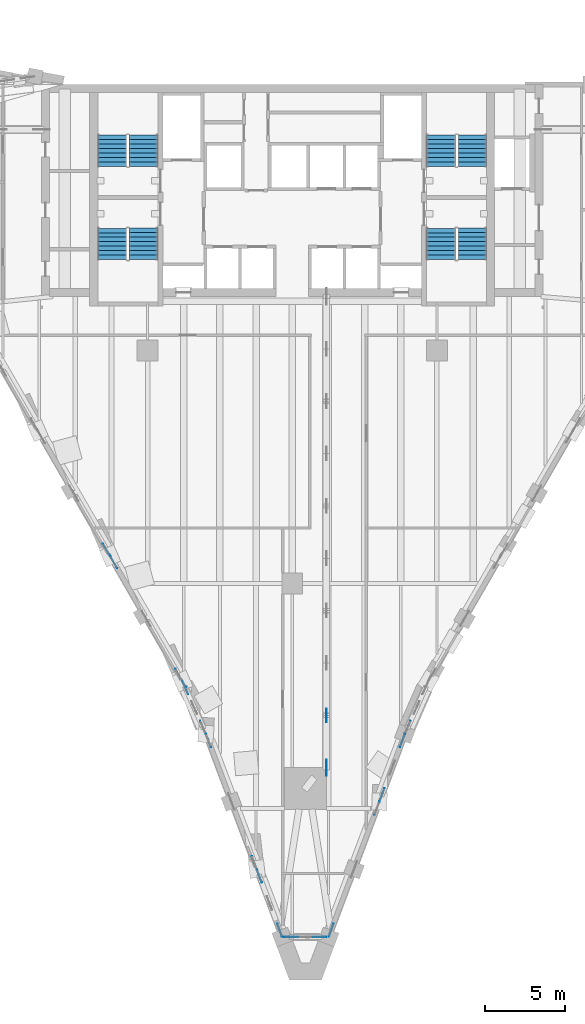
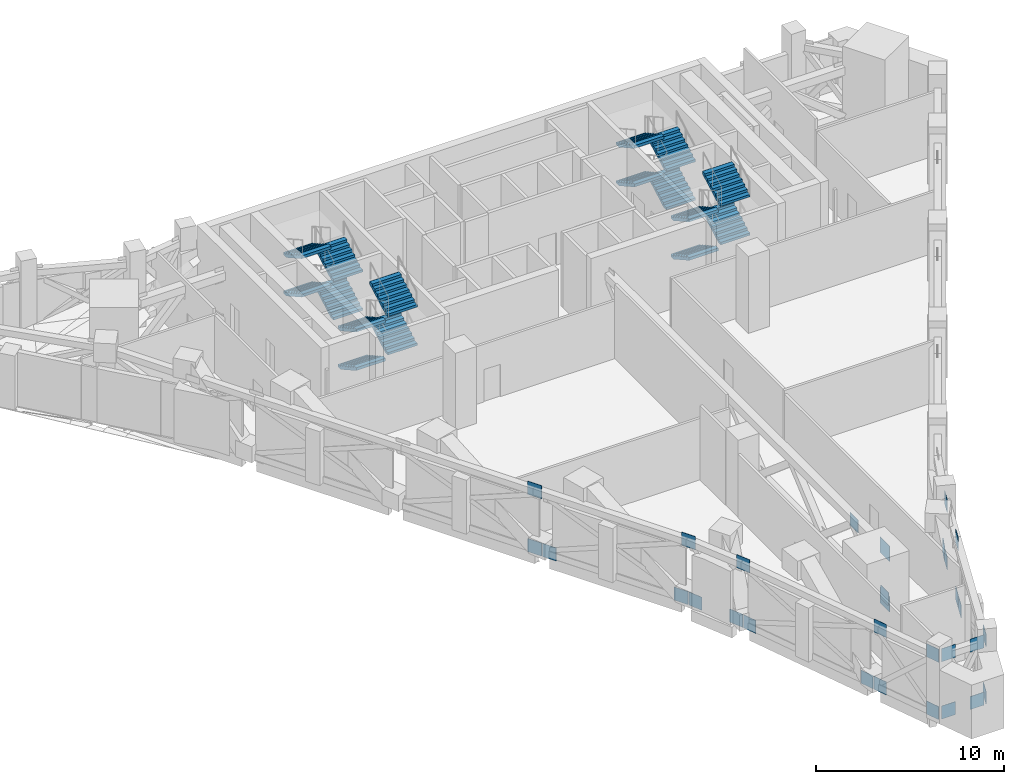
# One storey, part 13 of 22: 30 discrete accessories, 16 stair flights, 4 elements without a shape of their own.
"""IFC4 building model written with IfcOpenShell, lengths in metres."""

from ifc_helpers import new_model, si_unit, direction, frame, origin, origin_2d, place, context, subcontext, project, spatial, rectangle, extrude, faceted_brep, source, transform, mapped, material, type_object, element, aggregate, save


model = new_model("IFC4")

# Units and contexts
model_context = context("Model", 3, precision=1e-05, world=origin(), true_north=direction((0.0, 1.0)))
body_context = subcontext(model_context, "Body", "Model", "MODEL_VIEW")
ifc_project = project(units=[si_unit("LENGTHUNIT", "METRE"), si_unit("AREAUNIT", "SQUARE_METRE"), si_unit("VOLUMEUNIT", "CUBIC_METRE"), si_unit("PLANEANGLEUNIT", "RADIAN"), si_unit("MASSUNIT", "GRAM", prefix="KILO")], contexts=[model_context])

# Site, building, storey
site_placement = place(None, origin())
site = spatial("IfcSite", under=ifc_project, at=site_placement, CompositionType="ELEMENT")
building_placement = place(site_placement, origin())
building = spatial("IfcBuilding", under=site, at=building_placement, Name="Calabash Gate Tower", CompositionType="ELEMENT")
storey_placement = place(building_placement, frame((0.0, 0.0, 191.39990234375)))
storey = spatial("IfcBuildingStorey", under=building, at=storey_placement, Name="L45", CompositionType="ELEMENT", Elevation=191.39990234375)

# Stair, stair flights
ifc_material_1 = material(Name="Concrete C40/50", Category="concrete")
stair_type = type_object("IfcStairType", Name="Exit stair 32 risers of 156.2 mm", PredefinedType="HALF_TURN_STAIR", material=ifc_material_1)
stair_1_placement = place(storey_placement, origin())
stair_1 = element("IfcStair", 1, at=stair_1_placement, inside=storey, type_object=stair_type, Name="L45 Exit stair ST1", PredefinedType="HALF_TURN_STAIR")
ifc_material_2 = material(Name="Concrete C40/50", Category="concrete")
stair_flight_type = type_object("IfcStairFlightType", Name="Exit stair flight SFL", PredefinedType="STRAIGHT", material=ifc_material_2)
shared_shape = source(origin(), body_context, "Body", "Brep", [
    faceted_brep([(-0.0009765625, -0.89990234375, 0.0), (0.306884765625, -0.89990234375, 0.0), (1.9541015625, -0.89990234375, 0.921875), (-0.0009765625, 0.89990234375, 0.0), (1.9541015625, 0.89990234375, 0.921875), (0.306884765625, 0.89990234375, 0.0), (1.9541015625, -0.89990234375, 1.105712890625), (1.952880859375, -0.89990234375, 1.105712890625), (1.952880859375, 0.89990234375, 1.105712890625), (1.9541015625, 0.89990234375, 1.105712890625), (1.952880859375, -0.89990234375, 1.09375), (1.952880859375, 0.89990234375, 1.09375), (1.674072265625, -0.89990234375, 1.09375), (1.674072265625, 0.89990234375, 1.09375), (1.674072265625, -0.89990234375, 0.9375), (1.674072265625, 0.89990234375, 0.9375), (1.39501953125, -0.89990234375, 0.9375), (1.39501953125, 0.89990234375, 0.9375), (1.39501953125, -0.89990234375, 0.78125), (1.39501953125, 0.89990234375, 0.78125), (1.115966796875, -0.89990234375, 0.78125), (1.115966796875, -0.89990234375, 0.625), (1.115966796875, 0.89990234375, 0.625), (1.115966796875, 0.89990234375, 0.78125), (0.8369140625, -0.89990234375, 0.625), (0.8369140625, -0.89990234375, 0.46875), (0.8369140625, 0.89990234375, 0.46875), (0.8369140625, 0.89990234375, 0.625), (0.55810546875, -0.89990234375, 0.46875), (0.55810546875, -0.89990234375, 0.3125), (0.55810546875, 0.89990234375, 0.3125), (0.55810546875, 0.89990234375, 0.46875), (0.279052734375, -0.89990234375, 0.3125), (0.279052734375, -0.89990234375, 0.15625), (0.279052734375, 0.89990234375, 0.15625), (0.279052734375, 0.89990234375, 0.3125), (-0.0009765625, -0.89990234375, 0.15625), (-0.0009765625, 0.89990234375, 0.15625), (0.306884765625, -0.360107421875, 0.0), (1.9541015625, -0.360107421875, 0.921875), (0.306884765625, -0.27001953125, 0.0), (1.9541015625, -0.27001953125, 0.921875), (0.306884765625, -0.179931640625, 0.0), (1.9541015625, -0.179931640625, 0.921875), (0.306884765625, -0.090087890625, 0.0), (1.9541015625, -0.090087890625, 0.921875), (0.306884765625, 0.0, 0.0), (1.9541015625, 0.0, 0.921875), (0.306884765625, 0.090087890625, 0.0), (1.9541015625, 0.090087890625, 0.921875), (0.306884765625, 0.179931640625, 0.0), (1.9541015625, 0.179931640625, 0.921875), (0.306884765625, 0.27001953125, 0.0), (1.9541015625, 0.27001953125, 0.921875), (0.306884765625, 0.360107421875, 0.0), (1.9541015625, 0.360107421875, 0.921875), (1.9541015625, -0.360107421875, 1.105712890625), (1.9541015625, -0.27001953125, 1.105712890625), (1.9541015625, -0.179931640625, 1.105712890625), (1.9541015625, -0.090087890625, 1.105712890625), (1.9541015625, 0.0, 1.105712890625), (1.9541015625, 0.090087890625, 1.105712890625), (1.9541015625, 0.179931640625, 1.105712890625), (1.9541015625, 0.27001953125, 1.105712890625), (1.9541015625, 0.360107421875, 1.105712890625), (1.952880859375, -0.360107421875, 1.105712890625), (1.952880859375, -0.27001953125, 1.105712890625), (1.952880859375, -0.179931640625, 1.105712890625), (1.952880859375, -0.090087890625, 1.105712890625), (1.952880859375, 0.0, 1.105712890625), (1.952880859375, 0.090087890625, 1.105712890625), (1.952880859375, 0.179931640625, 1.105712890625), (1.952880859375, 0.27001953125, 1.105712890625), (1.952880859375, 0.360107421875, 1.105712890625), (1.952880859375, -0.360107421875, 1.09375), (1.952880859375, -0.27001953125, 1.09375), (1.952880859375, -0.179931640625, 1.09375), (1.952880859375, -0.090087890625, 1.09375), (1.952880859375, 0.0, 1.09375), (1.952880859375, 0.090087890625, 1.09375), (1.952880859375, 0.179931640625, 1.09375), (1.952880859375, 0.27001953125, 1.09375), (1.952880859375, 0.360107421875, 1.09375), (1.674072265625, -0.360107421875, 1.09375), (1.674072265625, -0.27001953125, 1.09375), (1.674072265625, -0.179931640625, 1.09375), (1.674072265625, -0.090087890625, 1.09375), (1.674072265625, 0.0, 1.09375), (1.674072265625, 0.090087890625, 1.09375), (1.674072265625, 0.179931640625, 1.09375), (1.674072265625, 0.27001953125, 1.09375), (1.674072265625, 0.360107421875, 1.09375), (1.674072265625, -0.360107421875, 0.9375), (1.674072265625, -0.27001953125, 0.9375), (1.674072265625, -0.179931640625, 0.9375), (1.674072265625, -0.090087890625, 0.9375), (1.674072265625, 0.0, 0.9375), (1.674072265625, 0.090087890625, 0.9375), (1.674072265625, 0.179931640625, 0.9375), (1.674072265625, 0.27001953125, 0.9375), (1.674072265625, 0.360107421875, 0.9375), (1.39501953125, -0.360107421875, 0.9375), (1.39501953125, -0.27001953125, 0.9375), (1.39501953125, -0.179931640625, 0.9375), (1.39501953125, -0.090087890625, 0.9375), (1.39501953125, 0.0, 0.9375), (1.39501953125, 0.090087890625, 0.9375), (1.39501953125, 0.179931640625, 0.9375), (1.39501953125, 0.27001953125, 0.9375), (1.39501953125, 0.360107421875, 0.9375), (1.39501953125, -0.360107421875, 0.78125), (1.39501953125, -0.27001953125, 0.78125), (1.39501953125, -0.179931640625, 0.78125), (1.39501953125, -0.090087890625, 0.78125), (1.39501953125, 0.0, 0.78125), (1.39501953125, 0.090087890625, 0.78125), (1.39501953125, 0.179931640625, 0.78125), (1.39501953125, 0.27001953125, 0.78125), (1.39501953125, 0.360107421875, 0.78125), (1.115966796875, -0.360107421875, 0.78125), (1.115966796875, -0.27001953125, 0.78125), (1.115966796875, -0.179931640625, 0.78125), (1.115966796875, -0.090087890625, 0.78125), (1.115966796875, 0.0, 0.78125), (1.115966796875, 0.090087890625, 0.78125), (1.115966796875, 0.179931640625, 0.78125), (1.115966796875, 0.27001953125, 0.78125), (1.115966796875, 0.360107421875, 0.78125), (1.115966796875, -0.360107421875, 0.625), (1.115966796875, -0.27001953125, 0.625), (1.115966796875, -0.179931640625, 0.625), (1.115966796875, -0.090087890625, 0.625), (1.115966796875, 0.0, 0.625), (1.115966796875, 0.090087890625, 0.625), (1.115966796875, 0.179931640625, 0.625), (1.115966796875, 0.27001953125, 0.625), (1.115966796875, 0.360107421875, 0.625), (0.8369140625, -0.360107421875, 0.625), (0.8369140625, -0.27001953125, 0.625), (0.8369140625, -0.179931640625, 0.625), (0.8369140625, -0.090087890625, 0.625), (0.8369140625, 0.0, 0.625), (0.8369140625, 0.090087890625, 0.625), (0.8369140625, 0.179931640625, 0.625), (0.8369140625, 0.27001953125, 0.625), (0.8369140625, 0.360107421875, 0.625), (0.8369140625, -0.360107421875, 0.46875), (0.8369140625, -0.27001953125, 0.46875), (0.8369140625, -0.179931640625, 0.46875), (0.8369140625, -0.090087890625, 0.46875), (0.8369140625, 0.0, 0.46875), (0.8369140625, 0.090087890625, 0.46875), (0.8369140625, 0.179931640625, 0.46875), (0.8369140625, 0.27001953125, 0.46875), (0.8369140625, 0.360107421875, 0.46875), (0.55810546875, -0.360107421875, 0.46875), (0.55810546875, -0.27001953125, 0.46875), (0.55810546875, -0.179931640625, 0.46875), (0.55810546875, -0.090087890625, 0.46875), (0.55810546875, 0.0, 0.46875), (0.55810546875, 0.090087890625, 0.46875), (0.55810546875, 0.179931640625, 0.46875), (0.55810546875, 0.27001953125, 0.46875), (0.55810546875, 0.360107421875, 0.46875), (0.55810546875, -0.360107421875, 0.3125), (0.55810546875, -0.27001953125, 0.3125), (0.55810546875, -0.179931640625, 0.3125), (0.55810546875, -0.090087890625, 0.3125), (0.55810546875, 0.0, 0.3125), (0.55810546875, 0.090087890625, 0.3125), (0.55810546875, 0.179931640625, 0.3125), (0.55810546875, 0.27001953125, 0.3125), (0.55810546875, 0.360107421875, 0.3125), (0.279052734375, -0.360107421875, 0.3125), (0.279052734375, -0.27001953125, 0.3125), (0.279052734375, -0.179931640625, 0.3125), (0.279052734375, -0.090087890625, 0.3125), (0.279052734375, 0.0, 0.3125), (0.279052734375, 0.090087890625, 0.3125), (0.279052734375, 0.179931640625, 0.3125), (0.279052734375, 0.27001953125, 0.3125), (0.279052734375, 0.360107421875, 0.3125), (0.279052734375, -0.360107421875, 0.15625), (0.279052734375, -0.27001953125, 0.15625), (0.279052734375, -0.179931640625, 0.15625), (0.279052734375, -0.090087890625, 0.15625), (0.279052734375, 0.0, 0.15625), (0.279052734375, 0.090087890625, 0.15625), (0.279052734375, 0.179931640625, 0.15625), (0.279052734375, 0.27001953125, 0.15625), (0.279052734375, 0.360107421875, 0.15625), (-0.0009765625, -0.360107421875, 0.15625), (-0.0009765625, -0.27001953125, 0.15625), (-0.0009765625, -0.179931640625, 0.15625), (-0.0009765625, -0.090087890625, 0.15625), (-0.0009765625, 0.0, 0.15625), (-0.0009765625, 0.090087890625, 0.15625), (-0.0009765625, 0.179931640625, 0.15625), (-0.0009765625, 0.27001953125, 0.15625), (-0.0009765625, 0.360107421875, 0.15625), (-0.0009765625, -0.360107421875, 0.0), (-0.0009765625, -0.27001953125, 0.0), (-0.0009765625, -0.179931640625, 0.0), (-0.0009765625, -0.090087890625, 0.0), (-0.0009765625, 0.0, 0.0), (-0.0009765625, 0.090087890625, 0.0), (-0.0009765625, 0.179931640625, 0.0), (-0.0009765625, 0.27001953125, 0.0), (-0.0009765625, 0.360107421875, 0.0)], [[[0, 1, 2]], [[3, 4, 5]], [[2, 6, 7]], [[4, 8, 9]], [[2, 7, 10]], [[4, 11, 8]], [[2, 10, 12]], [[4, 13, 11]], [[2, 12, 14]], [[4, 15, 13]], [[2, 14, 16]], [[4, 17, 15]], [[2, 16, 18]], [[4, 19, 17]], [[18, 20, 21]], [[19, 22, 23]], [[2, 18, 21]], [[4, 22, 19]], [[21, 24, 25]], [[22, 26, 27]], [[2, 21, 25]], [[4, 26, 22]], [[25, 28, 29]], [[26, 30, 31]], [[2, 25, 29]], [[4, 30, 26]], [[29, 32, 33]], [[30, 34, 35]], [[2, 29, 33]], [[4, 34, 30]], [[0, 2, 33]], [[3, 34, 4]], [[33, 36, 0]], [[34, 3, 37]], [[1, 38, 2]], [[38, 39, 2]], [[38, 40, 39]], [[40, 41, 39]], [[40, 42, 41]], [[42, 43, 41]], [[42, 44, 43]], [[44, 45, 43]], [[44, 46, 45]], [[46, 47, 45]], [[46, 48, 49]], [[46, 49, 47]], [[48, 50, 51]], [[48, 51, 49]], [[50, 52, 53]], [[50, 53, 51]], [[52, 54, 55]], [[52, 55, 53]], [[54, 5, 4]], [[54, 4, 55]], [[2, 39, 6]], [[39, 56, 6]], [[39, 41, 56]], [[41, 57, 56]], [[41, 43, 57]], [[43, 58, 57]], [[43, 45, 58]], [[45, 59, 58]], [[45, 47, 59]], [[47, 60, 59]], [[47, 49, 61]], [[47, 61, 60]], [[49, 51, 62]], [[49, 62, 61]], [[51, 53, 63]], [[51, 63, 62]], [[53, 55, 64]], [[53, 64, 63]], [[55, 4, 9]], [[55, 9, 64]], [[6, 56, 7]], [[56, 65, 7]], [[56, 57, 65]], [[57, 66, 65]], [[57, 58, 66]], [[58, 67, 66]], [[58, 59, 67]], [[59, 68, 67]], [[59, 60, 68]], [[60, 69, 68]], [[60, 61, 70]], [[60, 70, 69]], [[61, 62, 71]], [[61, 71, 70]], [[62, 63, 72]], [[62, 72, 71]], [[63, 64, 73]], [[63, 73, 72]], [[64, 9, 8]], [[64, 8, 73]], [[7, 65, 10]], [[65, 74, 10]], [[65, 66, 74]], [[66, 75, 74]], [[66, 67, 75]], [[67, 76, 75]], [[67, 68, 76]], [[68, 77, 76]], [[68, 69, 77]], [[69, 78, 77]], [[69, 70, 79]], [[69, 79, 78]], [[70, 71, 80]], [[70, 80, 79]], [[71, 72, 81]], [[71, 81, 80]], [[72, 73, 82]], [[72, 82, 81]], [[73, 8, 11]], [[73, 11, 82]], [[10, 74, 12]], [[74, 83, 12]], [[74, 75, 83]], [[75, 84, 83]], [[75, 76, 84]], [[76, 85, 84]], [[76, 77, 85]], [[77, 86, 85]], [[77, 78, 86]], [[78, 87, 86]], [[78, 79, 88]], [[78, 88, 87]], [[79, 80, 89]], [[79, 89, 88]], [[80, 81, 90]], [[80, 90, 89]], [[81, 82, 91]], [[81, 91, 90]], [[82, 11, 13]], [[82, 13, 91]], [[12, 83, 14]], [[83, 92, 14]], [[83, 84, 92]], [[84, 93, 92]], [[84, 85, 93]], [[85, 94, 93]], [[85, 86, 94]], [[86, 95, 94]], [[86, 87, 95]], [[87, 96, 95]], [[87, 88, 97]], [[87, 97, 96]], [[88, 89, 98]], [[88, 98, 97]], [[89, 90, 99]], [[89, 99, 98]], [[90, 91, 100]], [[90, 100, 99]], [[91, 13, 15]], [[91, 15, 100]], [[14, 92, 16]], [[92, 101, 16]], [[92, 93, 101]], [[93, 102, 101]], [[93, 94, 102]], [[94, 103, 102]], [[94, 95, 103]], [[95, 104, 103]], [[95, 96, 104]], [[96, 105, 104]], [[96, 97, 106]], [[96, 106, 105]], [[97, 98, 107]], [[97, 107, 106]], [[98, 99, 108]], [[98, 108, 107]], [[99, 100, 109]], [[99, 109, 108]], [[100, 15, 17]], [[100, 17, 109]], [[16, 101, 18]], [[101, 110, 18]], [[101, 102, 110]], [[102, 111, 110]], [[102, 103, 111]], [[103, 112, 111]], [[103, 104, 112]], [[104, 113, 112]], [[104, 105, 113]], [[105, 114, 113]], [[105, 106, 115]], [[105, 115, 114]], [[106, 107, 116]], [[106, 116, 115]], [[107, 108, 117]], [[107, 117, 116]], [[108, 109, 118]], [[108, 118, 117]], [[109, 17, 19]], [[109, 19, 118]], [[18, 110, 20]], [[110, 119, 20]], [[110, 111, 119]], [[111, 120, 119]], [[111, 112, 120]], [[112, 121, 120]], [[112, 113, 121]], [[113, 122, 121]], [[113, 114, 122]], [[114, 123, 122]], [[114, 115, 124]], [[114, 124, 123]], [[115, 116, 125]], [[115, 125, 124]], [[116, 117, 126]], [[116, 126, 125]], [[117, 118, 127]], [[117, 127, 126]], [[118, 19, 23]], [[118, 23, 127]], [[20, 119, 21]], [[119, 128, 21]], [[119, 120, 128]], [[120, 129, 128]], [[120, 121, 129]], [[121, 130, 129]], [[121, 122, 130]], [[122, 131, 130]], [[122, 123, 131]], [[123, 132, 131]], [[123, 124, 133]], [[123, 133, 132]], [[124, 125, 134]], [[124, 134, 133]], [[125, 126, 135]], [[125, 135, 134]], [[126, 127, 136]], [[126, 136, 135]], [[127, 23, 22]], [[127, 22, 136]], [[21, 128, 24]], [[128, 137, 24]], [[128, 129, 137]], [[129, 138, 137]], [[129, 130, 138]], [[130, 139, 138]], [[130, 131, 139]], [[131, 140, 139]], [[131, 132, 140]], [[132, 141, 140]], [[132, 133, 142]], [[132, 142, 141]], [[133, 134, 143]], [[133, 143, 142]], [[134, 135, 144]], [[134, 144, 143]], [[135, 136, 145]], [[135, 145, 144]], [[136, 22, 27]], [[136, 27, 145]], [[24, 137, 25]], [[137, 146, 25]], [[137, 138, 146]], [[138, 147, 146]], [[138, 139, 147]], [[139, 148, 147]], [[139, 140, 148]], [[140, 149, 148]], [[140, 141, 149]], [[141, 150, 149]], [[141, 142, 151]], [[141, 151, 150]], [[142, 143, 152]], [[142, 152, 151]], [[143, 144, 153]], [[143, 153, 152]], [[144, 145, 154]], [[144, 154, 153]], [[145, 27, 26]], [[145, 26, 154]], [[25, 146, 28]], [[146, 155, 28]], [[146, 147, 155]], [[147, 156, 155]], [[147, 148, 156]], [[148, 157, 156]], [[148, 149, 157]], [[149, 158, 157]], [[149, 150, 158]], [[150, 159, 158]], [[150, 151, 160]], [[150, 160, 159]], [[151, 152, 161]], [[151, 161, 160]], [[152, 153, 162]], [[152, 162, 161]], [[153, 154, 163]], [[153, 163, 162]], [[154, 26, 31]], [[154, 31, 163]], [[28, 155, 29]], [[155, 164, 29]], [[155, 156, 164]], [[156, 165, 164]], [[156, 157, 165]], [[157, 166, 165]], [[157, 158, 166]], [[158, 167, 166]], [[158, 159, 167]], [[159, 168, 167]], [[159, 160, 169]], [[159, 169, 168]], [[160, 161, 170]], [[160, 170, 169]], [[161, 162, 171]], [[161, 171, 170]], [[162, 163, 172]], [[162, 172, 171]], [[163, 31, 30]], [[163, 30, 172]], [[29, 164, 32]], [[164, 173, 32]], [[164, 165, 173]], [[165, 174, 173]], [[165, 166, 174]], [[166, 175, 174]], [[166, 167, 175]], [[167, 176, 175]], [[167, 168, 176]], [[168, 177, 176]], [[168, 169, 178]], [[168, 178, 177]], [[169, 170, 179]], [[169, 179, 178]], [[170, 171, 180]], [[170, 180, 179]], [[171, 172, 181]], [[171, 181, 180]], [[172, 30, 35]], [[172, 35, 181]], [[32, 173, 33]], [[173, 182, 33]], [[173, 174, 182]], [[174, 183, 182]], [[174, 175, 183]], [[175, 184, 183]], [[175, 176, 184]], [[176, 185, 184]], [[176, 177, 185]], [[177, 186, 185]], [[177, 178, 187]], [[177, 187, 186]], [[178, 179, 188]], [[178, 188, 187]], [[179, 180, 189]], [[179, 189, 188]], [[180, 181, 190]], [[180, 190, 189]], [[181, 35, 34]], [[181, 34, 190]], [[33, 182, 36]], [[182, 191, 36]], [[182, 183, 191]], [[183, 192, 191]], [[183, 184, 192]], [[184, 193, 192]], [[184, 185, 193]], [[185, 194, 193]], [[185, 186, 194]], [[186, 195, 194]], [[186, 187, 196]], [[186, 196, 195]], [[187, 188, 197]], [[187, 197, 196]], [[188, 189, 198]], [[188, 198, 197]], [[189, 190, 199]], [[189, 199, 198]], [[190, 34, 37]], [[190, 37, 199]], [[36, 191, 0]], [[191, 200, 0]], [[191, 192, 200]], [[192, 201, 200]], [[192, 193, 201]], [[193, 202, 201]], [[193, 194, 202]], [[194, 203, 202]], [[194, 195, 203]], [[195, 204, 203]], [[195, 196, 205]], [[195, 205, 204]], [[196, 197, 206]], [[196, 206, 205]], [[197, 198, 207]], [[197, 207, 206]], [[198, 199, 208]], [[198, 208, 207]], [[199, 37, 3]], [[199, 3, 208]], [[0, 200, 1]], [[200, 38, 1]], [[200, 201, 38]], [[201, 40, 38]], [[201, 202, 40]], [[202, 42, 40]], [[202, 203, 42]], [[203, 44, 42]], [[203, 204, 44]], [[204, 46, 44]], [[204, 205, 48]], [[204, 48, 46]], [[205, 206, 50]], [[205, 50, 48]], [[206, 207, 52]], [[206, 52, 50]], [[207, 208, 54]], [[207, 54, 52]], [[208, 3, 5]], [[208, 5, 54]]]),
])
stair_flight_1_placement = place(storey_placement, frame((-9.25, 13.95263671875, 0.0), z_axis=(0.0, 0.0, 1.0), x_axis=(0.0, 1.0, 0.0)))
stair_flight_1 = element("IfcStairFlight", 2, at=stair_flight_1_placement, type_object=stair_flight_type, Name="ST1 flight 1", NumberOfRisers=8, NumberOfTreads=7, PredefinedType="STRAIGHT", RiserHeight=0.15625, TreadLength=0.279, context=body_context, shape_type="MappedRepresentation", body=[
    mapped(shared_shape, transform((0.0, 0.0, 0.0), scale=1.0)),
])
stair_flight_2_placement = place(storey_placement, frame((-11.199951171875, 15.905517578125, 1.25), z_axis=(0.0, 0.0, 1.0), x_axis=(0.0, -1.0, 0.0)))
stair_flight_2 = element("IfcStairFlight", 3, at=stair_flight_2_placement, type_object=stair_flight_type, Name="ST1 flight 2", NumberOfRisers=8, NumberOfTreads=7, PredefinedType="STRAIGHT", RiserHeight=0.15625, TreadLength=0.279, context=body_context, shape_type="MappedRepresentation", body=[
    mapped(shared_shape, transform((0.0, 0.0, 0.0), scale=1.0)),
])
stair_flight_3_placement = place(storey_placement, frame((-9.25, 13.95263671875, 2.5), z_axis=(0.0, 0.0, 1.0), x_axis=(0.0, 1.0, 0.0)))
stair_flight_3 = element("IfcStairFlight", 4, at=stair_flight_3_placement, type_object=stair_flight_type, Name="ST1 flight 3", NumberOfRisers=8, NumberOfTreads=7, PredefinedType="STRAIGHT", RiserHeight=0.15625, TreadLength=0.279, context=body_context, shape_type="MappedRepresentation", body=[
    mapped(shared_shape, transform((0.0, 0.0, 0.0), scale=1.0)),
])
stair_flight_4_placement = place(storey_placement, frame((-11.199951171875, 15.905517578125, 3.75), z_axis=(0.0, 0.0, 1.0), x_axis=(0.0, -1.0, 0.0)))
stair_flight_4 = element("IfcStairFlight", 5, at=stair_flight_4_placement, type_object=stair_flight_type, Name="ST1 flight 4", NumberOfRisers=8, NumberOfTreads=7, PredefinedType="STRAIGHT", RiserHeight=0.15625, TreadLength=0.279, context=body_context, shape_type="MappedRepresentation", body=[
    mapped(shared_shape, transform((0.0, 0.0, 0.0), scale=1.0)),
])
aggregate(stair_1, [stair_flight_1, stair_flight_2, stair_flight_3, stair_flight_4])

stair_2_placement = place(storey_placement, origin())
stair_2 = element("IfcStair", 6, at=stair_2_placement, inside=storey, type_object=stair_type, Name="L45 Exit stair ST2", PredefinedType="HALF_TURN_STAIR")
stair_flight_5_placement = place(storey_placement, frame((-11.199951171875, 10.1025390625, 0.0), z_axis=(0.0, 0.0, 1.0), x_axis=(0.0, -1.0, 0.0)))
stair_flight_5 = element("IfcStairFlight", 7, at=stair_flight_5_placement, type_object=stair_flight_type, Name="ST2 flight 1", NumberOfRisers=8, NumberOfTreads=7, PredefinedType="STRAIGHT", RiserHeight=0.15625, TreadLength=0.279, context=body_context, shape_type="MappedRepresentation", body=[
    mapped(shared_shape, transform((0.0, 0.0, 0.0), scale=1.0)),
])
stair_flight_6_placement = place(storey_placement, frame((-9.25, 8.149658203125, 1.25), z_axis=(0.0, 0.0, 1.0), x_axis=(0.0, 1.0, 0.0)))
stair_flight_6 = element("IfcStairFlight", 8, at=stair_flight_6_placement, type_object=stair_flight_type, Name="ST2 flight 2", NumberOfRisers=8, NumberOfTreads=7, PredefinedType="STRAIGHT", RiserHeight=0.15625, TreadLength=0.279, context=body_context, shape_type="MappedRepresentation", body=[
    mapped(shared_shape, transform((0.0, 0.0, 0.0), scale=1.0)),
])
stair_flight_7_placement = place(storey_placement, frame((-11.199951171875, 10.1025390625, 2.5), z_axis=(0.0, 0.0, 1.0), x_axis=(0.0, -1.0, 0.0)))
stair_flight_7 = element("IfcStairFlight", 9, at=stair_flight_7_placement, type_object=stair_flight_type, Name="ST2 flight 3", NumberOfRisers=8, NumberOfTreads=7, PredefinedType="STRAIGHT", RiserHeight=0.15625, TreadLength=0.279, context=body_context, shape_type="MappedRepresentation", body=[
    mapped(shared_shape, transform((0.0, 0.0, 0.0), scale=1.0)),
])
stair_flight_8_placement = place(storey_placement, frame((-9.25, 8.149658203125, 3.75), z_axis=(0.0, 0.0, 1.0), x_axis=(0.0, 1.0, 0.0)))
stair_flight_8 = element("IfcStairFlight", 10, at=stair_flight_8_placement, type_object=stair_flight_type, Name="ST2 flight 4", NumberOfRisers=8, NumberOfTreads=7, PredefinedType="STRAIGHT", RiserHeight=0.15625, TreadLength=0.279, context=body_context, shape_type="MappedRepresentation", body=[
    mapped(shared_shape, transform((0.0, 0.0, 0.0), scale=1.0)),
])
aggregate(stair_2, [stair_flight_5, stair_flight_6, stair_flight_7, stair_flight_8])

stair_3_placement = place(storey_placement, origin())
stair_3 = element("IfcStair", 11, at=stair_3_placement, inside=storey, type_object=stair_type, Name="L45 Exit stair ST3", PredefinedType="HALF_TURN_STAIR")
stair_flight_9_placement = place(storey_placement, frame((11.199951171875, 13.95263671875, 0.0), z_axis=(0.0, 0.0, 1.0), x_axis=(0.0, 1.0, 0.0)))
stair_flight_9 = element("IfcStairFlight", 12, at=stair_flight_9_placement, type_object=stair_flight_type, Name="ST3 flight 1", NumberOfRisers=8, NumberOfTreads=7, PredefinedType="STRAIGHT", RiserHeight=0.15625, TreadLength=0.279, context=body_context, shape_type="MappedRepresentation", body=[
    mapped(shared_shape, transform((0.0, 0.0, 0.0), scale=1.0)),
])
stair_flight_10_placement = place(storey_placement, frame((9.25, 15.905517578125, 1.25), z_axis=(0.0, 0.0, 1.0), x_axis=(0.0, -1.0, 0.0)))
stair_flight_10 = element("IfcStairFlight", 13, at=stair_flight_10_placement, type_object=stair_flight_type, Name="ST3 flight 2", NumberOfRisers=8, NumberOfTreads=7, PredefinedType="STRAIGHT", RiserHeight=0.15625, TreadLength=0.279, context=body_context, shape_type="MappedRepresentation", body=[
    mapped(shared_shape, transform((0.0, 0.0, 0.0), scale=1.0)),
])
stair_flight_11_placement = place(storey_placement, frame((11.199951171875, 13.95263671875, 2.5), z_axis=(0.0, 0.0, 1.0), x_axis=(0.0, 1.0, 0.0)))
stair_flight_11 = element("IfcStairFlight", 14, at=stair_flight_11_placement, type_object=stair_flight_type, Name="ST3 flight 3", NumberOfRisers=8, NumberOfTreads=7, PredefinedType="STRAIGHT", RiserHeight=0.15625, TreadLength=0.279, context=body_context, shape_type="MappedRepresentation", body=[
    mapped(shared_shape, transform((0.0, 0.0, 0.0), scale=1.0)),
])
stair_flight_12_placement = place(storey_placement, frame((9.25, 15.905517578125, 3.75), z_axis=(0.0, 0.0, 1.0), x_axis=(0.0, -1.0, 0.0)))
stair_flight_12 = element("IfcStairFlight", 15, at=stair_flight_12_placement, type_object=stair_flight_type, Name="ST3 flight 4", NumberOfRisers=8, NumberOfTreads=7, PredefinedType="STRAIGHT", RiserHeight=0.15625, TreadLength=0.279, context=body_context, shape_type="MappedRepresentation", body=[
    mapped(shared_shape, transform((0.0, 0.0, 0.0), scale=1.0)),
])
aggregate(stair_3, [stair_flight_9, stair_flight_10, stair_flight_11, stair_flight_12])

stair_4_placement = place(storey_placement, origin())
stair_4 = element("IfcStair", 16, at=stair_4_placement, inside=storey, type_object=stair_type, Name="L45 Exit stair ST4", PredefinedType="HALF_TURN_STAIR")
stair_flight_13_placement = place(storey_placement, frame((9.25, 10.1025390625, 0.0), z_axis=(0.0, 0.0, 1.0), x_axis=(0.0, -1.0, 0.0)))
stair_flight_13 = element("IfcStairFlight", 17, at=stair_flight_13_placement, type_object=stair_flight_type, Name="ST4 flight 1", NumberOfRisers=8, NumberOfTreads=7, PredefinedType="STRAIGHT", RiserHeight=0.15625, TreadLength=0.279, context=body_context, shape_type="MappedRepresentation", body=[
    mapped(shared_shape, transform((0.0, 0.0, 0.0), scale=1.0)),
])
stair_flight_14_placement = place(storey_placement, frame((11.199951171875, 8.149658203125, 1.25), z_axis=(0.0, 0.0, 1.0), x_axis=(0.0, 1.0, 0.0)))
stair_flight_14 = element("IfcStairFlight", 18, at=stair_flight_14_placement, type_object=stair_flight_type, Name="ST4 flight 2", NumberOfRisers=8, NumberOfTreads=7, PredefinedType="STRAIGHT", RiserHeight=0.15625, TreadLength=0.279, context=body_context, shape_type="MappedRepresentation", body=[
    mapped(shared_shape, transform((0.0, 0.0, 0.0), scale=1.0)),
])
stair_flight_15_placement = place(storey_placement, frame((9.25, 10.1025390625, 2.5), z_axis=(0.0, 0.0, 1.0), x_axis=(0.0, -1.0, 0.0)))
stair_flight_15 = element("IfcStairFlight", 19, at=stair_flight_15_placement, type_object=stair_flight_type, Name="ST4 flight 3", NumberOfRisers=8, NumberOfTreads=7, PredefinedType="STRAIGHT", RiserHeight=0.15625, TreadLength=0.279, context=body_context, shape_type="MappedRepresentation", body=[
    mapped(shared_shape, transform((0.0, 0.0, 0.0), scale=1.0)),
])
stair_flight_16_placement = place(storey_placement, frame((11.199951171875, 8.149658203125, 3.75), z_axis=(0.0, 0.0, 1.0), x_axis=(0.0, 1.0, 0.0)))
stair_flight_16 = element("IfcStairFlight", 20, at=stair_flight_16_placement, type_object=stair_flight_type, Name="ST4 flight 4", NumberOfRisers=8, NumberOfTreads=7, PredefinedType="STRAIGHT", RiserHeight=0.15625, TreadLength=0.279, context=body_context, shape_type="MappedRepresentation", body=[
    mapped(shared_shape, transform((0.0, 0.0, 0.0), scale=1.0)),
])
aggregate(stair_4, [stair_flight_13, stair_flight_14, stair_flight_15, stair_flight_16])

# Discrete accessories
ifc_material_3 = material(Name="Steel ASTM A572 Gr50", Category="steel")
discrete_accessory_type = type_object("IfcDiscreteAccessoryType", Name="Connection plate 25", PredefinedType="BRACKET", material=ifc_material_3)
for number, where, z_axis, x_axis, name in (
    (21, (-11.10302734375, -10.677734375, -0.2216796875), (0.0, 0.0, 1.0), (0.499999984885, -0.866025412511, 0.0), "Connection plate Belt chord L45 1 start"),
    (22, (-7.052978515625, -17.692626953125, -0.2216796875), (0.0, 0.0, 1.0), (0.499999984885, -0.866025412511, 0.0), "Connection plate Belt chord L45 1 end"),
    (23, (-11.552978515625, -9.89404296875, 3.501953125), (0.0, 0.0, 1.0), (0.499981710745, -0.866035962833, 0.0), "Connection plate Belt chord L45 2 start"),
    (24, (-6.822998046875, -18.0869140625, 3.501953125), (0.0, 0.0, 1.0), (0.499981710745, -0.866035962833, 0.0), "Connection plate Belt chord L45 2 end"),
    (25, (-6.64404296875, -18.49560546875, -0.2216796875), (0.0, 0.0, 1.0), (0.406611762923, -0.913601047642, 0.0), "Connection plate Belt chord L45 6 start"),
    (26, (-5.552978515625, -20.947265625, -0.2216796875), (0.0, 0.0, 1.0), (0.406611762923, -0.913601047642, 0.0), "Connection plate Belt chord L45 6 end"),
    (27, (-5.367919921875, -21.364013671875, 3.501953125), (0.0, 0.0, 1.0), (0.406600361968, -0.913606121722, 0.0), "Connection plate Belt chord L45 7 end"),
    (28, (-5.211181640625, -21.7802734375, -0.2216796875), (0.0, 0.0, 1.0), (0.351822599016, -0.936066695712, 0.0), "Connection plate Belt chord L45 11 start"),
    (29, (-2.361572265625, -29.362548828125, -0.2216796875), (0.0, 0.0, 1.0), (0.351822599016, -0.936066695712, 0.0), "Connection plate Belt chord L45 11 end"),
    (30, (-2.04296875, -30.2099609375, 3.501953125), (0.0, 0.0, 1.0), (0.351807470495, -0.936072381659, 0.0), "Connection plate Belt chord L45 12 end"),
    (31, (-2.044921875, -30.204833984375, -0.2216796875), (0.0, 0.0, 1.0), (0.351822435641, -0.936066757117, 0.0), "Connection plate Belt chord L45 16 start"),
    (32, (-0.7783203125, -33.57470703125, -0.2216796875), (0.0, 0.0, 1.0), (0.351822435641, -0.936066757117, 0.0), "Connection plate Belt chord L45 16 end"),
    (33, (-0.7783203125, -33.57470703125, 3.501953125), (0.0, 0.0, 1.0), (0.351822435641, -0.936066757117, 0.0), "Connection plate Belt chord L45 17 end"),
    (34, (-0.05908203125, -33.99609375, -0.2216796875), (0.0, 0.0, 1.0), (1.0, 5.75959e-07, 0.0), "Connection plate Belt chord L45 21 start"),
    (35, (1.702880859375, -33.99609375, -0.2216796875), (0.0, 0.0, 1.0), (1.0, 5.75959e-07, 0.0), "Connection plate Belt chord L45 21 end"),
    (36, (-0.05908203125, -33.99609375, 3.501953125), (0.0, 0.0, 1.0), (1.0, 5.75959e-07, 0.0), "Connection plate Belt chord L45 22 start"),
    (37, (1.702880859375, -33.99609375, 3.501953125), (0.0, 0.0, 1.0), (1.0, 5.75959e-07, 0.0), "Connection plate Belt chord L45 22 end"),
    (38, (2.422119140625, -33.57470703125, -0.2216796875), (0.0, 0.0, 1.0), (0.351822500991, 0.936066732555, 0.0), "Connection plate Belt chord L45 26 start"),
    (39, (5.271728515625, -25.99267578125, -0.2216796875), (0.0, 0.0, 1.0), (0.351822500991, 0.936066732555, 0.0), "Connection plate Belt chord L45 26 end"),
    (40, (2.422119140625, -33.57470703125, 3.501953125), (0.0, 0.0, 1.0), (0.351715717152, 0.936106860518, 0.0), "Connection plate Belt chord L45 27 start"),
    (41, (5.590087890625, -25.14306640625, 3.501953125), (0.0, 0.0, 1.0), (0.351715717152, 0.936106860518, 0.0), "Connection plate Belt chord L45 27 end"),
    (42, (5.58837890625, -25.150146484375, -0.2216796875), (0.0, 0.0, 1.0), (0.351822435641, 0.936066757117, 0.0), "Connection plate Belt chord L45 31 start"),
    (43, (6.85498046875, -21.7802734375, -0.2216796875), (0.0, 0.0, 1.0), (0.351822435641, 0.936066757117, 0.0), "Connection plate Belt chord L45 31 end"),
    (44, (6.85498046875, -21.7802734375, 3.501953125), (0.0, 0.0, 1.0), (0.351822435641, 0.936066757117, 0.0), "Connection plate Belt chord L45 32 end"),
    (45, (7.196533203125, -20.947265625, -0.2216796875), (0.0, 0.0, 1.0), (0.406611890485, 0.913600990869, 0.0), "Connection plate Belt chord L45 36 start"),
    (46, (-11.552978515625, -9.898193359375, -0.2216796875), (0.0, 0.0, 1.0), (0.49999993954, -0.866025438691, 0.0), "Connection plate Belt chord L45 101 end"),
):
    element("IfcDiscreteAccessory", number, at=place(storey_placement, frame(where, z_axis=z_axis, x_axis=x_axis)), inside=storey, type_object=discrete_accessory_type, Name=name, PredefinedType="BRACKET", context=body_context, shape_type="SweptSolid", body=[
        extrude(rectangle(XDim=0.850341796875, YDim=0.02490234375, at=origin_2d()), origin(), (0.0, 0.0, 1.0), 0.850341796875),
    ])
for number, where, z_axis, x_axis, name in (
    (47, (2.121826171875, -23.462646484375, -0.252197265625), (0.0, 0.0, 1.0), (0.0, 1.0, 0.0), "Connection plate Outrigger chord L45 S start"),
    (48, (2.121826171875, -23.462646484375, 3.019775390625), (0.0, 0.0, 1.0), (0.0, 1.0, 0.0), "Connection plate Outrigger chord L45 S start"),
):
    element("IfcDiscreteAccessory", number, at=place(storey_placement, frame(where, z_axis=z_axis, x_axis=x_axis)), inside=storey, type_object=discrete_accessory_type, Name=name, PredefinedType="BRACKET", context=body_context, shape_type="SweptSolid", body=[
        extrude(rectangle(XDim=1.0126953125, YDim=0.02490234375, at=origin_2d()), origin(), (0.0, 0.0, 1.0), 1.0126953125),
    ])
for number, where, z_axis, x_axis, name in (
    (49, (2.121826171875, -23.462646484375, 0.0830078125), (0.0, 0.0, 1.0), (0.0, 1.0, 0.0), "Connection plate Outrigger diagonal L45 S start"),
    (50, (2.121826171875, -20.205322265625, 2.84716796875), (0.0, 0.0, 1.0), (0.0, 1.0, 0.0), "Connection plate Outrigger diagonal L45 S end"),
):
    element("IfcDiscreteAccessory", number, at=place(storey_placement, frame(where, z_axis=z_axis, x_axis=x_axis)), inside=storey, type_object=discrete_accessory_type, Name=name, PredefinedType="BRACKET", context=body_context, shape_type="SweptSolid", body=[
        extrude(rectangle(XDim=0.850341796875, YDim=0.02490234375, at=origin_2d()), origin(), (0.0, 0.0, 1.0), 0.850341796875),
    ])

save(model, "model.ifc")
